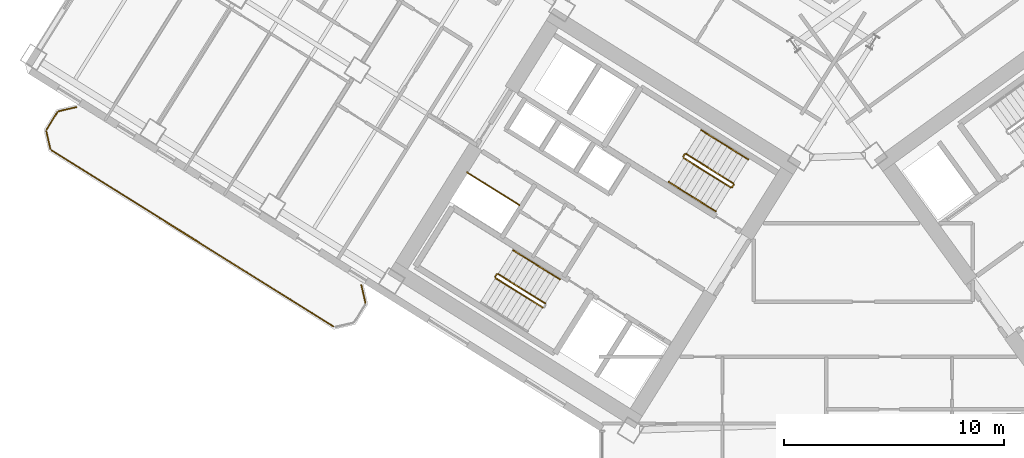
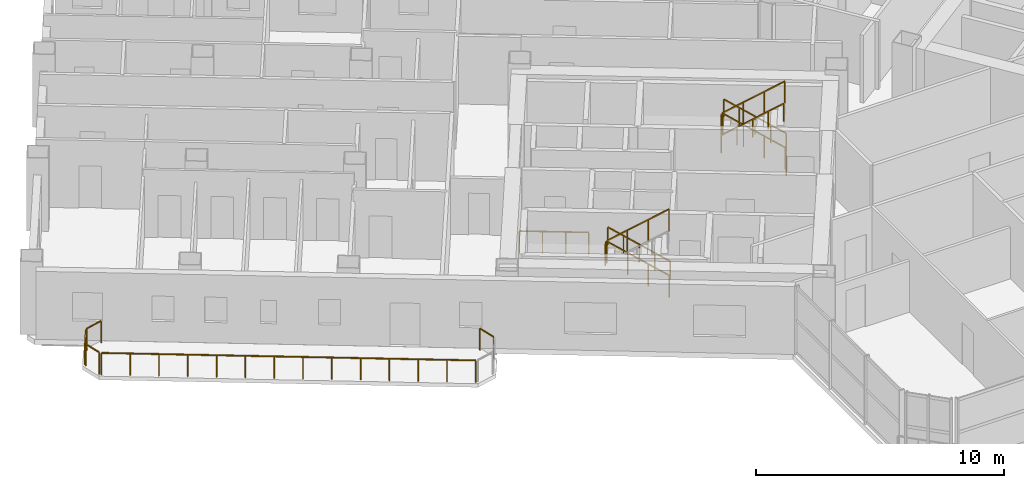
# One storey, part 19 of 21: 19 railings.
"""IFC4 building model written with IfcOpenShell, lengths in metres."""

from ifc_helpers import new_model, si_unit, direction, frame, origin, origin_2d, place, context, subcontext, project, spatial, rectangle, extrude, source, transform, mapped, material, type_object, element, save


model = new_model("IFC4")

# Units and contexts
model_context = context("Model", 3, precision=1e-05, world=origin(), true_north=direction((0.0, 1.0)))
body_context = subcontext(model_context, "Body", "Model", "MODEL_VIEW")
ifc_project = project(units=[si_unit("LENGTHUNIT", "METRE"), si_unit("AREAUNIT", "SQUARE_METRE"), si_unit("VOLUMEUNIT", "CUBIC_METRE"), si_unit("PLANEANGLEUNIT", "RADIAN"), si_unit("MASSUNIT", "GRAM", prefix="KILO")], contexts=[model_context])

# Site, building, storey
site_placement = place(None, origin())
site = spatial("IfcSite", under=ifc_project, at=site_placement, CompositionType="ELEMENT")
building_placement = place(site_placement, origin())
building = spatial("IfcBuilding", under=site, at=building_placement, Name="Tlacorven Tower", CompositionType="ELEMENT")
storey_placement = place(building_placement, frame((0.0, 0.0, 93.60009765625)))
storey = spatial("IfcBuildingStorey", under=building, at=storey_placement, Name="L23", CompositionType="ELEMENT", Elevation=93.60009765625)

# Railings
ifc_material = material(Name="Aluminium and painted steel balustrade", Category="steel")
railing_type_1 = type_object("IfcRailingType", Name="RL-GRD-1100", PredefinedType="GUARDRAIL", material=ifc_material)
shared_shape_1 = source(origin(), body_context, "Body", "SweptSolid", [
    extrude(rectangle(XDim=0.048095703125, YDim=0.048095703125, at=origin_2d()), frame((0.0, 0.0, 1.076171875), z_axis=(-0.848091358275, 0.529850024081, 0.0), x_axis=(-0.529850024081, -0.848091358275, 0.0)), (0.0, 0.0, 1.0), 2.800048828125),
    extrude(rectangle(XDim=0.0419921875, YDim=0.0419921875, at=origin_2d()), origin(), (0.0, 0.0, 1.0), 1.052001953125),
    extrude(rectangle(XDim=0.0419921875, YDim=0.0419921875, at=origin_2d()), frame((-0.79150390625, 0.49462890625, 0.0)), (0.0, 0.0, 1.0), 1.052001953125),
    extrude(rectangle(XDim=0.0419921875, YDim=0.0419921875, at=origin_2d()), frame((-1.583251953125, 0.989013671875, 0.0)), (0.0, 0.0, 1.0), 1.052001953125),
    extrude(rectangle(XDim=0.0419921875, YDim=0.0419921875, at=origin_2d()), frame((-2.374755859375, 1.483642578125, 0.0)), (0.0, 0.0, 1.0), 1.052001953125),
])
railing_1_placement = place(storey_placement, frame((27.9912109375, 22.32080078125, 0.0)))
element("IfcRailing", 1, at=railing_1_placement, inside=storey, type_object=railing_type_1, Name="L23 Electrical Riser W Shaft Guard 1", PredefinedType="GUARDRAIL", context=body_context, shape_type="MappedRepresentation", body=[
    mapped(shared_shape_1, transform((0.0, 0.0, 0.0), scale=1.0)),
])
railing_type_2 = type_object("IfcRailingType", Name="RL-BAL-1100", PredefinedType="BALUSTRADE", material=ifc_material)
shared_shape_2 = source(origin(), body_context, "Body", "SweptSolid", [
    extrude(rectangle(XDim=0.048095703125, YDim=0.048095703125, at=origin_2d()), frame((0.0, 0.0, 1.076171875), z_axis=(0.225058334816, -0.974345290916, 0.0), x_axis=(0.974345290916, 0.225058334816, 0.0)), (0.0, 0.0, 1.0), 0.80712890625),
    extrude(rectangle(XDim=0.0419921875, YDim=0.0419921875, at=origin_2d()), origin(), (0.0, 0.0, 1.0), 1.052001953125),
    extrude(rectangle(XDim=0.0419921875, YDim=0.0419921875, at=origin_2d()), frame((0.181640625, -0.786376953125, 0.0)), (0.0, 0.0, 1.0), 1.052001953125),
])
railing_2_placement = place(storey_placement, frame((20.809814453125, 18.671142578125, 0.0)))
element("IfcRailing", 2, at=railing_2_placement, inside=storey, type_object=railing_type_2, Name="BAL-L23-W-OUT Guard Railing 1", PredefinedType="BALUSTRADE", context=body_context, shape_type="MappedRepresentation", body=[
    mapped(shared_shape_2, transform((0.0, 0.0, 0.0), scale=1.0)),
])
shared_shape_3 = source(origin(), body_context, "Body", "SweptSolid", [
    extrude(rectangle(XDim=0.048095703125, YDim=0.048095703125, at=origin_2d()), frame((0.0, 0.0, 1.076171875), z_axis=(-0.225058334816, 0.974345290916, 0.0), x_axis=(-0.974345290916, -0.225058334816, 0.0)), (0.0, 0.0, 1.0), 0.80712890625),
    extrude(rectangle(XDim=0.0419921875, YDim=0.0419921875, at=origin_2d()), origin(), (0.0, 0.0, 1.0), 1.052001953125),
    extrude(rectangle(XDim=0.0419921875, YDim=0.0419921875, at=origin_2d()), frame((-0.181640625, 0.786376953125, 0.0)), (0.0, 0.0, 1.0), 1.052001953125),
])
railing_3_placement = place(storey_placement, frame((6.66650390625, 24.88623046875, 0.0)))
element("IfcRailing", 3, at=railing_3_placement, inside=storey, type_object=railing_type_2, Name="BAL-L23-W-OUT Guard Railing 5", PredefinedType="BALUSTRADE", context=body_context, shape_type="MappedRepresentation", body=[
    mapped(shared_shape_3, transform((0.0, 0.0, 0.0), scale=1.0)),
])
shared_shape_4 = source(origin(), body_context, "Body", "SweptSolid", [
    extrude(rectangle(XDim=0.048095703125, YDim=0.048095703125, at=origin_2d()), frame((0.0, 0.0, 1.076171875), z_axis=(0.974411586182, 0.224771129628, 0.0), x_axis=(-0.224771129628, 0.974411586182, 0.0)), (0.0, 0.0, 1.0), 0.80712890625),
    extrude(rectangle(XDim=0.0419921875, YDim=0.0419921875, at=origin_2d()), origin(), (0.0, 0.0, 1.0), 1.052001953125),
    extrude(rectangle(XDim=0.0419921875, YDim=0.0419921875, at=origin_2d()), frame((0.786376953125, 0.181396484375, 0.0)), (0.0, 0.0, 1.0), 1.052001953125),
])
railing_4_placement = place(storey_placement, frame((7.05859375, 26.591064453125, 0.0)))
element("IfcRailing", 4, at=railing_4_placement, inside=storey, type_object=railing_type_2, Name="BAL-L23-W-OUT Guard Railing 7", PredefinedType="BALUSTRADE", context=body_context, shape_type="MappedRepresentation", body=[
    mapped(shared_shape_4, transform((0.0, 0.0, 0.0), scale=1.0)),
])
shared_shape_5 = source(origin(), body_context, "Body", "SweptSolid", [
    extrude(rectangle(XDim=0.048095703125, YDim=0.048095703125, at=origin_2d()), frame((0.0, 0.0, 1.076171875), z_axis=(0.529998940003, 0.847998304005, 0.0), x_axis=(-0.847998304005, 0.529998940003, 0.0)), (0.0, 0.0, 1.0), 0.912109375),
    extrude(rectangle(XDim=0.0419921875, YDim=0.0419921875, at=origin_2d()), origin(), (0.0, 0.0, 1.0), 1.052001953125),
    extrude(rectangle(XDim=0.0419921875, YDim=0.0419921875, at=origin_2d()), frame((0.4833984375, 0.7734375, 0.0)), (0.0, 0.0, 1.0), 1.052001953125),
])
railing_5_placement = place(storey_placement, frame((6.5, 25.763916015625, 0.0)))
element("IfcRailing", 5, at=railing_5_placement, inside=storey, type_object=railing_type_2, Name="BAL-L23-W-OUT Guard Railing 6", PredefinedType="BALUSTRADE", context=body_context, shape_type="MappedRepresentation", body=[
    mapped(shared_shape_5, transform((0.0, 0.0, 0.0), scale=1.0)),
])
shared_shape_6 = source(origin(), body_context, "Body", "SweptSolid", [
    extrude(rectangle(XDim=0.048095703125, YDim=0.048095703125, at=origin_2d()), frame((0.0, 0.0, 1.076171875), z_axis=(-0.848051830527, 0.529913287944, 0.0), x_axis=(-0.529913287944, -0.848051830527, 0.0)), (0.0, 0.0, 1.0), 15.1171875),
    extrude(rectangle(XDim=0.0419921875, YDim=0.0419921875, at=origin_2d()), origin(), (0.0, 0.0, 1.0), 1.052001953125),
    extrude(rectangle(XDim=0.0419921875, YDim=0.0419921875, at=origin_2d()), frame((-0.986083984375, 0.6162109375, 0.0)), (0.0, 0.0, 1.0), 1.052001953125),
    extrude(rectangle(XDim=0.0419921875, YDim=0.0419921875, at=origin_2d()), frame((-1.972412109375, 1.232421875, 0.0)), (0.0, 0.0, 1.0), 1.052001953125),
    extrude(rectangle(XDim=0.0419921875, YDim=0.0419921875, at=origin_2d()), frame((-2.95849609375, 1.8486328125, 0.0)), (0.0, 0.0, 1.0), 1.052001953125),
    extrude(rectangle(XDim=0.0419921875, YDim=0.0419921875, at=origin_2d()), frame((-3.944580078125, 2.46484375, 0.0)), (0.0, 0.0, 1.0), 1.052001953125),
    extrude(rectangle(XDim=0.0419921875, YDim=0.0419921875, at=origin_2d()), frame((-4.930908203125, 3.0810546875, 0.0)), (0.0, 0.0, 1.0), 1.052001953125),
    extrude(rectangle(XDim=0.0419921875, YDim=0.0419921875, at=origin_2d()), frame((-5.9169921875, 3.697265625, 0.0)), (0.0, 0.0, 1.0), 1.052001953125),
    extrude(rectangle(XDim=0.0419921875, YDim=0.0419921875, at=origin_2d()), frame((-6.903076171875, 4.3134765625, 0.0)), (0.0, 0.0, 1.0), 1.052001953125),
    extrude(rectangle(XDim=0.0419921875, YDim=0.0419921875, at=origin_2d()), frame((-7.88916015625, 4.9296875, 0.0)), (0.0, 0.0, 1.0), 1.052001953125),
    extrude(rectangle(XDim=0.0419921875, YDim=0.0419921875, at=origin_2d()), frame((-8.87548828125, 5.5458984375, 0.0)), (0.0, 0.0, 1.0), 1.052001953125),
    extrude(rectangle(XDim=0.0419921875, YDim=0.0419921875, at=origin_2d()), frame((-9.861572265625, 6.162109375, 0.0)), (0.0, 0.0, 1.0), 1.052001953125),
    extrude(rectangle(XDim=0.0419921875, YDim=0.0419921875, at=origin_2d()), frame((-10.84765625, 6.7783203125, 0.0)), (0.0, 0.0, 1.0), 1.052001953125),
    extrude(rectangle(XDim=0.0419921875, YDim=0.0419921875, at=origin_2d()), frame((-11.833984375, 7.39453125, 0.0)), (0.0, 0.0, 1.0), 1.052001953125),
    extrude(rectangle(XDim=0.0419921875, YDim=0.0419921875, at=origin_2d()), frame((-12.820068359375, 8.0107421875, 0.0)), (0.0, 0.0, 1.0), 1.052001953125),
])
railing_6_placement = place(storey_placement, frame((19.5400390625, 16.80029296875, 0.0)))
element("IfcRailing", 6, at=railing_6_placement, inside=storey, type_object=railing_type_2, Name="BAL-L23-W-OUT Guard Railing 4", PredefinedType="BALUSTRADE", context=body_context, shape_type="MappedRepresentation", body=[
    mapped(shared_shape_6, transform((0.0, 0.0, 0.0), scale=1.0)),
])
shared_shape_7 = source(origin(), body_context, "Body", "SweptSolid", [
    extrude(rectangle(XDim=0.048095703125, YDim=0.048095703125, at=origin_2d()), frame((0.0, 0.0, 1.076171875), z_axis=(-0.530546985787, -0.847655529016, 0.0), x_axis=(0.847655529016, -0.530546985787, 0.0)), (0.0, 0.0, 1.0), 0.1201171875),
    extrude(rectangle(XDim=0.0419921875, YDim=0.0419921875, at=origin_2d()), origin(), (0.0, 0.0, 1.0), 1.052001953125),
    extrude(rectangle(XDim=0.0419921875, YDim=0.0419921875, at=origin_2d()), frame((-0.063720703125, -0.101806640625, 0.0)), (0.0, 0.0, 1.0), 1.052001953125),
])
for number, where, name in (
    (7, (26.954833984375, 19.17138671875, 1.7998046875), "L23 ST-W1 stair guard 2"),
    (8, (37.728271484375, 23.24072265625, 0.0), "L23 ST-W2 stair guard 4"),
):
    element("IfcRailing", number, at=place(storey_placement, frame(where)), inside=storey, type_object=railing_type_1, Name=name, PredefinedType="GUARDRAIL", context=body_context, shape_type="MappedRepresentation", body=[
        mapped(shared_shape_7, transform((0.0, 0.0, 0.0), scale=1.0)),
    ])
railing_type_3 = type_object("IfcRailingType", Name="RL-HND-0900", PredefinedType="HANDRAIL", material=ifc_material)
shared_shape_8 = source(origin(), body_context, "Body", "SweptSolid", [
    extrude(rectangle(XDim=0.048095703125, YDim=0.048095703125, at=origin_2d()), frame((0.0, 0.0, 0.8759765625), z_axis=(-0.713359751793, 0.4457479829, 0.540764828981), x_axis=(-0.529911857636, -0.848052724267, 0.0)), (0.0, 0.0, 1.0), 1.498046875),
    extrude(rectangle(XDim=0.0419921875, YDim=0.0419921875, at=origin_2d()), origin(), (0.0, 0.0, 1.0), 0.851806640625),
    extrude(rectangle(XDim=0.0419921875, YDim=0.0419921875, at=origin_2d()), frame((-0.5341796875, 0.333984375, 0.405029296875)), (0.0, 0.0, 1.0), 0.851806640625),
    extrude(rectangle(XDim=0.0419921875, YDim=0.0419921875, at=origin_2d()), frame((-1.068603515625, 0.667724609375, 0.81005859375)), (0.0, 0.0, 1.0), 0.851806640625),
])
for number, where, name in (
    (9, (29.839111328125, 18.937255859375, 0.179931640625), "L23 ST-W1 stair handrail 1"),
    (10, (38.390625, 24.39501953125, 0.179931640625), "L23 ST-W2 stair handrail 1"),
):
    element("IfcRailing", number, at=place(storey_placement, frame(where)), inside=storey, type_object=railing_type_3, Name=name, PredefinedType="HANDRAIL", context=body_context, shape_type="MappedRepresentation", body=[
        mapped(shared_shape_8, transform((0.0, 0.0, 0.0), scale=1.0)),
    ])
shared_shape_9 = source(origin(), body_context, "Body", "SweptSolid", [
    extrude(rectangle(XDim=0.048095703125, YDim=0.048095703125, at=origin_2d()), frame((0.0, 0.0, 0.8759765625), z_axis=(0.713359751793, -0.4457479829, 0.540764828981), x_axis=(0.529911857636, 0.848052724267, 0.0)), (0.0, 0.0, 1.0), 1.498046875),
    extrude(rectangle(XDim=0.0419921875, YDim=0.0419921875, at=origin_2d()), origin(), (0.0, 0.0, 1.0), 0.851806640625),
    extrude(rectangle(XDim=0.0419921875, YDim=0.0419921875, at=origin_2d()), frame((0.5341796875, -0.333984375, 0.405029296875)), (0.0, 0.0, 1.0), 0.851806640625),
    extrude(rectangle(XDim=0.0419921875, YDim=0.0419921875, at=origin_2d()), frame((1.068603515625, -0.667724609375, 0.81005859375)), (0.0, 0.0, 1.0), 0.851806640625),
])
railing_7_placement = place(storey_placement, frame((35.848876953125, 22.705078125, 2.789794921875)))
element("IfcRailing", 11, at=railing_7_placement, inside=storey, type_object=railing_type_3, Name="L23 ST-W2 stair handrail 4", PredefinedType="HANDRAIL", context=body_context, shape_type="MappedRepresentation", body=[
    mapped(shared_shape_9, transform((0.0, 0.0, 0.0), scale=1.0)),
])
shared_shape_10 = source(origin(), body_context, "Body", "SweptSolid", [
    extrude(rectangle(XDim=0.048095703125, YDim=0.048095703125, at=origin_2d()), frame((0.0, 0.0, 1.076171875), z_axis=(-0.713351164325, 0.445793541512, 0.540738601085), x_axis=(-0.529955395941, -0.84802551749, 0.0)), (0.0, 0.0, 1.0), 2.99560546875),
    extrude(rectangle(XDim=0.0419921875, YDim=0.0419921875, at=origin_2d()), origin(), (0.0, 0.0, 1.0), 1.052001953125),
    extrude(rectangle(XDim=0.0419921875, YDim=0.0419921875, at=origin_2d()), frame((-0.71240234375, 0.445068359375, 0.5400390625)), (0.0, 0.0, 1.0), 1.052001953125),
    extrude(rectangle(XDim=0.0419921875, YDim=0.0419921875, at=origin_2d()), frame((-1.424560546875, 0.890380859375, 1.079833984375)), (0.0, 0.0, 1.0), 1.052001953125),
    extrude(rectangle(XDim=0.0419921875, YDim=0.0419921875, at=origin_2d()), frame((-2.136962890625, 1.33544921875, 1.619873046875)), (0.0, 0.0, 1.0), 1.052001953125),
])
for number, where, name in (
    (12, (29.16064453125, 17.851806640625, 0.179931640625), "L23 ST-W1 stair guard 1"),
    (13, (37.712158203125, 23.3095703125, 0.179931640625), "L23 ST-W2 stair guard 1"),
):
    element("IfcRailing", number, at=place(storey_placement, frame(where)), inside=storey, type_object=railing_type_1, Name=name, PredefinedType="GUARDRAIL", context=body_context, shape_type="MappedRepresentation", body=[
        mapped(shared_shape_10, transform((0.0, 0.0, 0.0), scale=1.0)),
    ])
shared_shape_11 = source(origin(), body_context, "Body", "SweptSolid", [
    extrude(rectangle(XDim=0.048095703125, YDim=0.048095703125, at=origin_2d()), frame((0.0, 0.0, 1.076171875), z_axis=(0.71339118691, -0.44576762536, 0.540707165313), x_axis=(0.529911857636, 0.848052724267, 0.0)), (0.0, 0.0, 1.0), 2.995849609375),
    extrude(rectangle(XDim=0.0419921875, YDim=0.0419921875, at=origin_2d()), origin(), (0.0, 0.0, 1.0), 1.052001953125),
    extrude(rectangle(XDim=0.0419921875, YDim=0.0419921875, at=origin_2d()), frame((0.71240234375, -0.445068359375, 0.5400390625)), (0.0, 0.0, 1.0), 1.052001953125),
    extrude(rectangle(XDim=0.0419921875, YDim=0.0419921875, at=origin_2d()), frame((1.4248046875, -0.890380859375, 1.079833984375)), (0.0, 0.0, 1.0), 1.052001953125),
    extrude(rectangle(XDim=0.0419921875, YDim=0.0419921875, at=origin_2d()), frame((2.13720703125, -1.33544921875, 1.619873046875)), (0.0, 0.0, 1.0), 1.052001953125),
])
railing_8_placement = place(storey_placement, frame((26.906982421875, 19.000732421875, 1.97998046875)))
element("IfcRailing", 14, at=railing_8_placement, inside=storey, type_object=railing_type_1, Name="L23 ST-W1 stair guard 3", PredefinedType="GUARDRAIL", context=body_context, shape_type="MappedRepresentation", body=[
    mapped(shared_shape_11, transform((0.0, 0.0, 0.0), scale=1.0)),
])
shared_shape_12 = source(origin(), body_context, "Body", "SweptSolid", [
    extrude(rectangle(XDim=0.048095703125, YDim=0.048095703125, at=origin_2d()), frame((0.0, 0.0, 0.8759765625), z_axis=(-0.713422621445, 0.445787267455, 0.540649494022), x_axis=(-0.529911857636, -0.848052724267, 0.0)), (0.0, 0.0, 1.0), 1.497802734375),
    extrude(rectangle(XDim=0.0419921875, YDim=0.0419921875, at=origin_2d()), origin(), (0.0, 0.0, 1.0), 0.851806640625),
    extrude(rectangle(XDim=0.0419921875, YDim=0.0419921875, at=origin_2d()), frame((-0.5341796875, 0.333984375, 0.40478515625)), (0.0, 0.0, 1.0), 0.851806640625),
    extrude(rectangle(XDim=0.0419921875, YDim=0.0419921875, at=origin_2d()), frame((-1.068603515625, 0.667724609375, 0.809814453125)), (0.0, 0.0, 1.0), 0.851806640625),
])
for number, where, name in (
    (15, (28.7705078125, 19.60498046875, 0.989990234375), "L23 ST-W1 stair handrail 2"),
    (16, (37.322021484375, 25.062744140625, 0.989990234375), "L23 ST-W2 stair handrail 2"),
):
    element("IfcRailing", number, at=place(storey_placement, frame(where)), inside=storey, type_object=railing_type_3, Name=name, PredefinedType="HANDRAIL", context=body_context, shape_type="MappedRepresentation", body=[
        mapped(shared_shape_12, transform((0.0, 0.0, 0.0), scale=1.0)),
    ])
shared_shape_13 = source(origin(), body_context, "Body", "SweptSolid", [
    extrude(rectangle(XDim=0.048095703125, YDim=0.048095703125, at=origin_2d()), frame((0.0, 0.0, 0.8759765625), z_axis=(0.713422621445, -0.445787267455, 0.540649494022), x_axis=(0.529911857636, 0.848052724267, 0.0)), (0.0, 0.0, 1.0), 1.497802734375),
    extrude(rectangle(XDim=0.0419921875, YDim=0.0419921875, at=origin_2d()), origin(), (0.0, 0.0, 1.0), 0.851806640625),
    extrude(rectangle(XDim=0.0419921875, YDim=0.0419921875, at=origin_2d()), frame((0.5341796875, -0.333984375, 0.40478515625)), (0.0, 0.0, 1.0), 0.851806640625),
    extrude(rectangle(XDim=0.0419921875, YDim=0.0419921875, at=origin_2d()), frame((1.068603515625, -0.667724609375, 0.809814453125)), (0.0, 0.0, 1.0), 0.851806640625),
])
railing_9_placement = place(storey_placement, frame((34.7802734375, 23.372802734375, 1.97998046875)))
element("IfcRailing", 17, at=railing_9_placement, inside=storey, type_object=railing_type_3, Name="L23 ST-W2 stair handrail 3", PredefinedType="HANDRAIL", context=body_context, shape_type="MappedRepresentation", body=[
    mapped(shared_shape_13, transform((0.0, 0.0, 0.0), scale=1.0)),
])
shared_shape_14 = source(origin(), body_context, "Body", "SweptSolid", [
    extrude(rectangle(XDim=0.048095703125, YDim=0.048095703125, at=origin_2d()), frame((0.0, 0.0, 1.076171875), z_axis=(-0.531462422766, -0.847081869236, 0.0), x_axis=(0.847081869236, -0.531462422766, 0.0)), (0.0, 0.0, 1.0), 0.119873046875),
    extrude(rectangle(XDim=0.0419921875, YDim=0.0419921875, at=origin_2d()), origin(), (0.0, 0.0, 1.0), 1.052001953125),
    extrude(rectangle(XDim=0.0419921875, YDim=0.0419921875, at=origin_2d()), frame((-0.063720703125, -0.1015625, 0.0)), (0.0, 0.0, 1.0), 1.052001953125),
])
railing_10_placement = place(storey_placement, frame((35.50634765625, 24.62890625, 1.7998046875)))
element("IfcRailing", 18, at=railing_10_placement, inside=storey, type_object=railing_type_1, Name="L23 ST-W2 stair guard 2", PredefinedType="GUARDRAIL", context=body_context, shape_type="MappedRepresentation", body=[
    mapped(shared_shape_14, transform((0.0, 0.0, 0.0), scale=1.0)),
])
shared_shape_15 = source(origin(), body_context, "Body", "SweptSolid", [
    extrude(rectangle(XDim=0.048095703125, YDim=0.048095703125, at=origin_2d()), frame((0.0, 0.0, 1.076171875), z_axis=(0.713417101326, -0.445702322042, 0.540726806865), x_axis=(0.52984217967, 0.848096259066, 0.0)), (0.0, 0.0, 1.0), 2.995849609375),
    extrude(rectangle(XDim=0.0419921875, YDim=0.0419921875, at=origin_2d()), origin(), (0.0, 0.0, 1.0), 1.052001953125),
    extrude(rectangle(XDim=0.0419921875, YDim=0.0419921875, at=origin_2d()), frame((0.71240234375, -0.445068359375, 0.5400390625)), (0.0, 0.0, 1.0), 1.052001953125),
    extrude(rectangle(XDim=0.0419921875, YDim=0.0419921875, at=origin_2d()), frame((1.4248046875, -0.89013671875, 1.079833984375)), (0.0, 0.0, 1.0), 1.052001953125),
    extrude(rectangle(XDim=0.0419921875, YDim=0.0419921875, at=origin_2d()), frame((2.13720703125, -1.335205078125, 1.619873046875)), (0.0, 0.0, 1.0), 1.052001953125),
])
railing_11_placement = place(storey_placement, frame((35.45849609375, 24.458251953125, 1.97998046875)))
element("IfcRailing", 19, at=railing_11_placement, inside=storey, type_object=railing_type_1, Name="L23 ST-W2 stair guard 3", PredefinedType="GUARDRAIL", context=body_context, shape_type="MappedRepresentation", body=[
    mapped(shared_shape_15, transform((0.0, 0.0, 0.0), scale=1.0)),
])

save(model, "model.ifc")
